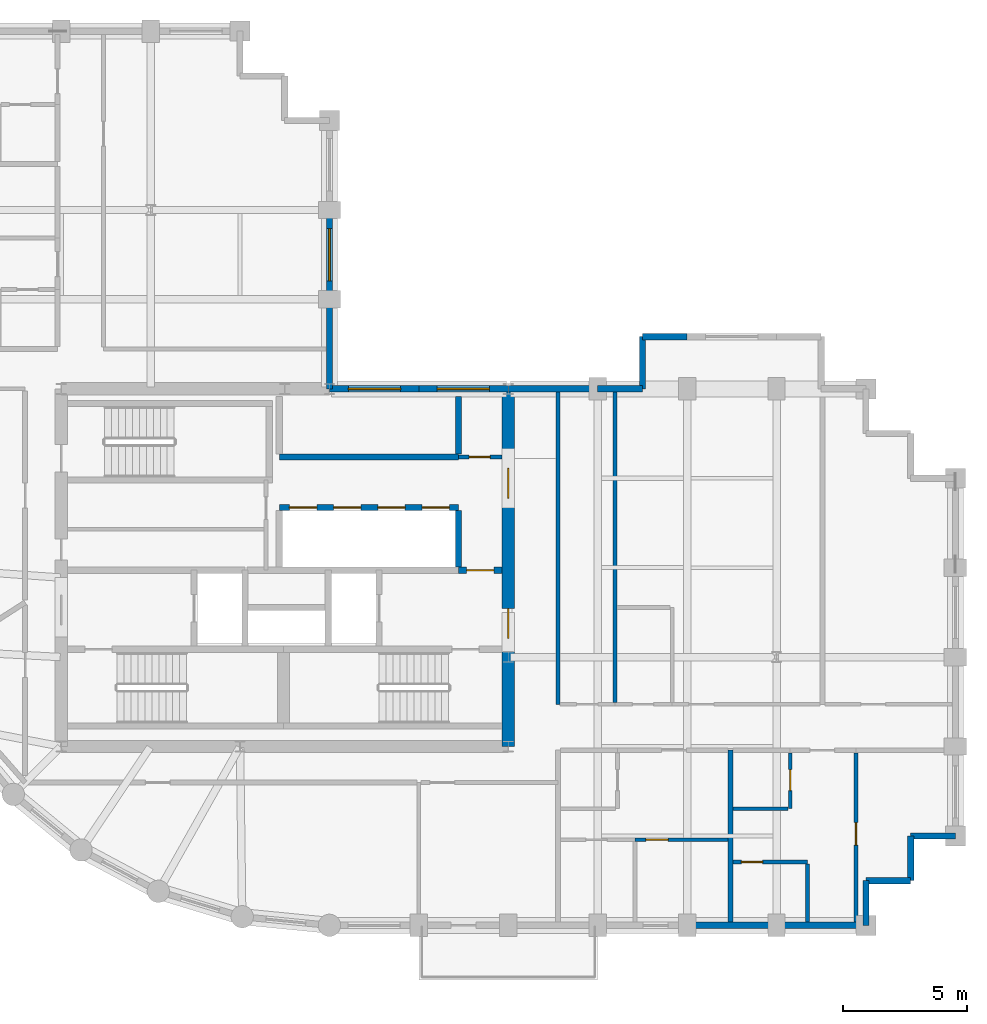
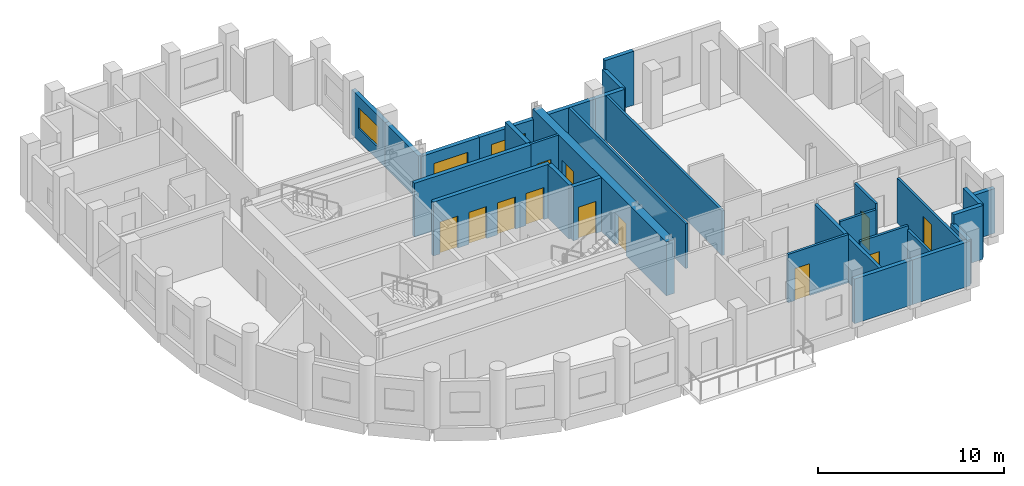
# One storey, part 5 of 8: 30 walls, 12 doors, 3 windows, 15 openings.
"""IFC4 building model written with IfcOpenShell, lengths in metres."""

from ifc_helpers import new_model, si_unit, direction, frame, frame_2d, origin, place, context, subcontext, project, spatial, rectangle, extrude, material, layer, layer_set, type_object, element, fill, save


model = new_model("IFC4")

# Units and contexts
model_context = context("Model", 3, precision=1e-05, world=origin(), true_north=direction((0.0, 1.0)))
body_context = subcontext(model_context, "Body", "Model", "MODEL_VIEW")
ifc_project = project(units=[si_unit("LENGTHUNIT", "METRE"), si_unit("AREAUNIT", "SQUARE_METRE"), si_unit("VOLUMEUNIT", "CUBIC_METRE"), si_unit("PLANEANGLEUNIT", "RADIAN"), si_unit("MASSUNIT", "GRAM", prefix="KILO")], contexts=[model_context])

# Site, building, storey
site_placement = place(None, origin())
site = spatial("IfcSite", under=ifc_project, at=site_placement, CompositionType="ELEMENT")
building_placement = place(site_placement, origin())
building = spatial("IfcBuilding", under=site, at=building_placement, Name="Solnavia Interchange Tower", CompositionType="ELEMENT")
storey_placement = place(building_placement, frame((0.0, 0.0, 178.60009765625)))
storey = spatial("IfcBuildingStorey", under=building, at=storey_placement, Name="L44", CompositionType="ELEMENT", Elevation=178.60009765625)

# Walls
ifc_material_1 = material(Name="Gypsum Acoustic Twin-Stud & Mineral Wool", Category="gypsum")
ifc_layer_1 = layer(ifc_material_1, 0.199951171875)
ifc_layer_set_1 = layer_set([ifc_layer_1], Name="Gypsum Acoustic Twin-Stud & Mineral Wool")
wall_type_1 = type_object("IfcWallType", Name="Wall-ApartmentParty-200", PredefinedType="PARTITIONING", material=ifc_layer_set_1)
wall_1_placement = place(storey_placement, frame((41.35009765625, 3.72900390625, 0.0), z_axis=(0.0, 0.0, 1.0), x_axis=(0.0, 1.0, 0.0)))
element("IfcWall", 1, at=wall_1_placement, inside=storey, type_object=wall_type_1, Name="PTW-L44-16 Interior partition wall", PredefinedType="PARTITIONING", context=body_context, shape_type="SweptSolid", body=[
    extrude(rectangle(XDim=6.9208984375, YDim=0.199951171875, at=frame_2d((3.46044921875, 0.0))), origin(), (0.0, 0.0, 1.0), 2.929931640625),
])
ifc_material_2 = material(Name="Concrete C40/50", Category="concrete")
ifc_layer_2 = layer(ifc_material_2, 0.25)
ifc_layer_set_2 = layer_set([ifc_layer_2], Name="Concrete C40/50")
wall_type_2 = type_object("IfcWallType", Name="Wall-ExtSpandrel-250", PredefinedType="STANDARD", material=ifc_layer_set_2)
wall_2_placement = place(storey_placement, frame((43.199951171875, 3.60009765625, 0.0), z_axis=(0.0, 0.0, 1.0), x_axis=(-1.0, 0.0, 0.0)))
element("IfcWall", 2, at=wall_2_placement, inside=storey, type_object=wall_type_2, Name="EXW-L44-05 Exterior precast spandrel wall", PredefinedType="STANDARD", context=body_context, shape_type="SweptSolid", body=[
    extrude(rectangle(XDim=3.599853515625, YDim=0.25, at=frame_2d((1.7998046875, 0.0))), origin(), (0.0, 0.0, 1.0), 2.929931640625),
])
wall_3_placement = place(storey_placement, frame((46.800048828125, 3.60009765625, 0.0), z_axis=(0.0, 0.0, 1.0), x_axis=(-1.0, 0.0, 0.0)))
element("IfcWall", 3, at=wall_3_placement, inside=storey, type_object=wall_type_2, Name="EXW-L44-06 Exterior precast spandrel wall", PredefinedType="STANDARD", context=body_context, shape_type="SweptSolid", body=[
    extrude(rectangle(XDim=3.60009765625, YDim=0.25, at=frame_2d((1.800048828125, 0.0))), origin(), (0.0, 0.0, 1.0), 2.929931640625),
])
wall_4_placement = place(storey_placement, frame((46.800048828125, 5.39990234375, 0.0), z_axis=(0.0, 0.0, 1.0), x_axis=(0.0, -1.0, 0.0)))
element("IfcWall", 4, at=wall_4_placement, inside=storey, type_object=wall_type_2, Name="EXW-L44-07 Exterior precast spandrel wall", PredefinedType="STANDARD", context=body_context, shape_type="SweptSolid", body=[
    extrude(rectangle(XDim=1.7998046875, YDim=0.25, at=frame_2d((0.89990234375, 0.0))), origin(), (0.0, 0.0, 1.0), 2.929931640625),
])
for number, where, z_axis, x_axis, name in (
    (5, (48.60009765625, 5.39990234375, 0.0), (0.0, 0.0, 1.0), (-1.0, 0.0, 0.0), "EXW-L44-08 Exterior precast spandrel wall"),
    (6, (48.60009765625, 7.199951171875, 0.0), (0.0, 0.0, 1.0), (0.0, -1.0, 0.0), "EXW-L44-09 Exterior precast spandrel wall"),
):
    element("IfcWall", number, at=place(storey_placement, frame(where, z_axis=z_axis, x_axis=x_axis)), inside=storey, type_object=wall_type_2, Name=name, PredefinedType="STANDARD", context=body_context, shape_type="SweptSolid", body=[
        extrude(rectangle(XDim=1.800048828125, YDim=0.25, at=frame_2d((0.89990234375, 0.0))), origin(), (0.0, 0.0, 1.0), 3.534912109375),
    ])
wall_5_placement = place(storey_placement, frame((50.39990234375, 7.199951171875, 0.0), z_axis=(0.0, 0.0, 1.0), x_axis=(-1.0, 0.0, 0.0)))
element("IfcWall", 7, at=wall_5_placement, inside=storey, type_object=wall_type_2, Name="EXW-L44-10 Exterior precast spandrel wall", PredefinedType="STANDARD", context=body_context, shape_type="SweptSolid", body=[
    extrude(rectangle(XDim=1.7998046875, YDim=0.25, at=frame_2d((0.89990234375, 0.0))), origin(), (0.0, 0.0, 1.0), 2.929931640625),
])
wall_6_placement = place(storey_placement, frame((37.800048828125, 27.300048828125, 0.0), z_axis=(0.0, 0.0, 1.0), x_axis=(1.0, 0.0, 0.0)))
element("IfcWall", 8, at=wall_6_placement, inside=storey, type_object=wall_type_2, Name="EXW-L44-23 Exterior precast spandrel wall", PredefinedType="STANDARD", context=body_context, shape_type="SweptSolid", body=[
    extrude(rectangle(XDim=1.800048828125, YDim=0.25, at=frame_2d((0.89990234375, 0.0))), origin(), (0.0, 0.0, 1.0), 3.534912109375),
])
wall_7_placement = place(storey_placement, frame((37.800048828125, 27.300048828125, 0.0), z_axis=(0.0, 0.0, 1.0), x_axis=(0.0, -1.0, 0.0)))
element("IfcWall", 9, at=wall_7_placement, inside=storey, type_object=wall_type_2, Name="EXW-L44-24 Exterior precast spandrel wall", PredefinedType="STANDARD", context=body_context, shape_type="SweptSolid", body=[
    extrude(rectangle(XDim=2.10009765625, YDim=0.25, at=frame_2d((1.050048828125, 0.0))), origin(), (0.0, 0.0, 1.0), 2.929931640625),
])
wall_8_placement = place(storey_placement, frame((36.0, 25.199951171875, 0.0), z_axis=(0.0, 0.0, 1.0), x_axis=(1.0, 0.0, 0.0)))
element("IfcWall", 10, at=wall_8_placement, inside=storey, type_object=wall_type_2, Name="EXW-L44-25 Exterior precast spandrel wall", PredefinedType="STANDARD", context=body_context, shape_type="SweptSolid", body=[
    extrude(rectangle(XDim=1.800048828125, YDim=0.25, at=frame_2d((0.89990234375, 0.0))), origin(), (0.0, 0.0, 1.0), 2.929931640625),
])
wall_9_placement = place(storey_placement, frame((32.39990234375, 25.199951171875, 0.0), z_axis=(0.0, 0.0, 1.0), x_axis=(1.0, 0.0, 0.0)))
element("IfcWall", 11, at=wall_9_placement, inside=storey, type_object=wall_type_2, Name="EXW-L44-26 Exterior precast spandrel wall", PredefinedType="STANDARD", context=body_context, shape_type="SweptSolid", body=[
    extrude(rectangle(XDim=3.60009765625, YDim=0.25, at=frame_2d((1.800048828125, 0.0))), origin(), (0.0, 0.0, 1.0), 2.929931640625),
])

# Wall, opening, window
wall_10_placement = place(storey_placement, frame((28.800048828125, 25.199951171875, 0.0), z_axis=(0.0, 0.0, 1.0), x_axis=(1.0, 0.0, 0.0)))
wall_10 = element("IfcWall", 12, at=wall_10_placement, inside=storey, type_object=wall_type_2, Name="EXW-L44-27 Exterior precast spandrel wall", PredefinedType="STANDARD", context=body_context, shape_type="SweptSolid", body=[
    extrude(rectangle(XDim=3.599853515625, YDim=0.25, at=frame_2d((1.7998046875, 0.0))), origin(), (0.0, 0.0, 1.0), 2.929931640625),
])
opening_1_placement = place(wall_10_placement, frame((0.73388671875, 0.0, 0.85009765625)))
opening_1 = element("IfcOpeningElement", 13, at=opening_1_placement, cuts=wall_10, Name="Opening WIN-01", PredefinedType="OPENING", context=body_context, shape_type="SweptSolid", body=[
    extrude(rectangle(XDim=2.10009765625, YDim=1.35009765625, at=frame_2d((1.050048828125, 0.675048828125))), frame((0.0, 0.135009765625, 0.0), z_axis=(0.0, -1.0, 0.0), x_axis=(1.0, 0.0, 0.0)), (0.0, 0.0, 1.0), 0.27001953125),
])
ifc_material_3 = material(Name="Thermal-Break Aluminium & Low-E Glass", Category="aluminium")
window_type = type_object("IfcWindowType", Name="Window-Ribbon-2100x1350", PartitioningType="SINGLE_PANEL", PredefinedType="WINDOW", material=ifc_material_3)
window_1_placement = place(opening_1_placement, origin())
window_1 = element("IfcWindow", 14, at=window_1_placement, inside=storey, type_object=window_type, Name="WIN-L44-27 Facade ribbon window", OverallHeight=1.35009765625, OverallWidth=2.10009765625, PartitioningType="SINGLE_PANEL", PredefinedType="WINDOW", context=body_context, shape_type="SweptSolid", body=[
    extrude(rectangle(XDim=2.10009765625, YDim=1.35009765625, at=frame_2d((1.050048828125, 0.675048828125))), frame((0.0, 0.030029296875, 0.0), z_axis=(0.0, -1.0, 0.0), x_axis=(1.0, 0.0, 0.0)), (0.0, 0.0, 1.0), 0.06005859375),
])
fill(opening_1, window_1)

wall_11_placement = place(storey_placement, frame((25.199951171875, 25.199951171875, 0.0), z_axis=(0.0, 0.0, 1.0), x_axis=(1.0, 0.0, 0.0)))
wall_11 = element("IfcWall", 15, at=wall_11_placement, inside=storey, type_object=wall_type_2, Name="EXW-L44-28 Exterior precast spandrel wall", PredefinedType="STANDARD", context=body_context, shape_type="SweptSolid", body=[
    extrude(rectangle(XDim=3.60009765625, YDim=0.25, at=frame_2d((1.800048828125, 0.0))), origin(), (0.0, 0.0, 1.0), 2.929931640625),
])
opening_2_placement = place(wall_11_placement, frame((0.76611328125, 0.0, 0.85009765625)))
opening_2 = element("IfcOpeningElement", 16, at=opening_2_placement, cuts=wall_11, Name="Opening WIN-01", PredefinedType="OPENING", context=body_context, shape_type="SweptSolid", body=[
    extrude(rectangle(XDim=2.10009765625, YDim=1.35009765625, at=frame_2d((1.050048828125, 0.675048828125))), frame((0.0, 0.135009765625, 0.0), z_axis=(0.0, -1.0, 0.0), x_axis=(1.0, 0.0, 0.0)), (0.0, 0.0, 1.0), 0.27001953125),
])
window_2_placement = place(opening_2_placement, origin())
window_2 = element("IfcWindow", 17, at=window_2_placement, inside=storey, type_object=window_type, Name="WIN-L44-28 Facade ribbon window", OverallHeight=1.35009765625, OverallWidth=2.10009765625, PartitioningType="SINGLE_PANEL", PredefinedType="WINDOW", context=body_context, shape_type="SweptSolid", body=[
    extrude(rectangle(XDim=2.10009765625, YDim=1.35009765625, at=frame_2d((1.050048828125, 0.675048828125))), frame((0.0, 0.030029296875, 0.0), z_axis=(0.0, -1.0, 0.0), x_axis=(1.0, 0.0, 0.0)), (0.0, 0.0, 1.0), 0.06005859375),
])
fill(opening_2, window_2)

# Wall
wall_12_placement = place(storey_placement, frame((25.199951171875, 25.199951171875, 0.0), z_axis=(0.0, 0.0, 1.0), x_axis=(0.0, 1.0, 0.0)))
element("IfcWall", 18, at=wall_12_placement, inside=storey, type_object=wall_type_2, Name="EXW-L44-29 Exterior precast spandrel wall", PredefinedType="STANDARD", context=body_context, shape_type="SweptSolid", body=[
    extrude(rectangle(XDim=3.60009765625, YDim=0.25, at=frame_2d((1.800048828125, 0.0))), origin(), (0.0, 0.0, 1.0), 2.929931640625),
])

# Wall, opening, window
wall_13_placement = place(storey_placement, frame((25.199951171875, 28.800048828125, 0.0), z_axis=(0.0, 0.0, 1.0), x_axis=(0.0, 1.0, 0.0)))
wall_13 = element("IfcWall", 19, at=wall_13_placement, inside=storey, type_object=wall_type_2, Name="EXW-L44-30 Exterior precast spandrel wall", PredefinedType="STANDARD", context=body_context, shape_type="SweptSolid", body=[
    extrude(rectangle(XDim=3.599853515625, YDim=0.25, at=frame_2d((1.7998046875, 0.0))), origin(), (0.0, 0.0, 1.0), 2.929931640625),
])
opening_3_placement = place(wall_13_placement, frame((0.75, 0.0, 0.85009765625)))
opening_3 = element("IfcOpeningElement", 20, at=opening_3_placement, cuts=wall_13, Name="Opening WIN-01", PredefinedType="OPENING", context=body_context, shape_type="SweptSolid", body=[
    extrude(rectangle(XDim=2.10009765625, YDim=1.35009765625, at=frame_2d((1.050048828125, 0.675048828125))), frame((0.0, 0.135009765625, 0.0), z_axis=(0.0, -1.0, 0.0), x_axis=(1.0, 0.0, 0.0)), (0.0, 0.0, 1.0), 0.27001953125),
])
window_3_placement = place(opening_3_placement, origin())
window_3 = element("IfcWindow", 21, at=window_3_placement, inside=storey, type_object=window_type, Name="WIN-L44-30 Facade ribbon window", OverallHeight=1.35009765625, OverallWidth=2.10009765625, PartitioningType="SINGLE_PANEL", PredefinedType="WINDOW", context=body_context, shape_type="SweptSolid", body=[
    extrude(rectangle(XDim=2.10009765625, YDim=1.35009765625, at=frame_2d((1.050048828125, 0.675048828125))), frame((0.0, 0.030029296875, 0.0), z_axis=(0.0, -1.0, 0.0), x_axis=(1.0, 0.0, 0.0)), (0.0, 0.0, 1.0), 0.06005859375),
])
fill(opening_3, window_3)

# Wall, opening, door
ifc_material_4 = material(Name="Gypsum Plasterboard & Steel Stud", Category="steel")
ifc_layer_3 = layer(ifc_material_4, 0.14990234375)
ifc_layer_set_3 = layer_set([ifc_layer_3], Name="Gypsum Plasterboard & Steel Stud")
wall_type_3 = type_object("IfcWallType", Name="Wall-Partition-150", PredefinedType="PARTITIONING", material=ifc_layer_set_3)
wall_14_placement = place(storey_placement, frame((30.39990234375, 22.4599609375, 0.0), z_axis=(0.0, 0.0, 1.0), x_axis=(1.0, 0.0, 0.0)))
wall_14 = element("IfcWall", 22, at=wall_14_placement, inside=storey, type_object=wall_type_3, Name="CSW-L44-NE-S Core shaft wall", PredefinedType="PARTITIONING", context=body_context, shape_type="SweptSolid", body=[
    extrude(rectangle(XDim=1.75, YDim=0.14990234375, at=frame_2d((0.875, 0.0))), origin(), (0.0, 0.0, 1.0), 3.534912109375),
])
opening_4_placement = place(wall_14_placement, frame((0.419921875, 0.0, 0.0)))
opening_4 = element("IfcOpeningElement", 23, at=opening_4_placement, cuts=wall_14, Name="Opening DR-10", PredefinedType="OPENING", context=body_context, shape_type="SweptSolid", body=[
    extrude(rectangle(XDim=0.85009765625, YDim=2.10009765625, at=frame_2d((0.425048828125, 1.050048828125))), frame((0.0, 0.0849609375, 0.0), z_axis=(0.0, -1.0, 0.0), x_axis=(1.0, 0.0, 0.0)), (0.0, 0.0, 1.0), 0.169921875),
])
ifc_material_5 = material(Name="Moisture-Resistant Timber Door", Category="wood")
door_type_1 = type_object("IfcDoorType", Name="Door-Bathroom-850x2100", OperationType="SINGLE_SWING_RIGHT", PredefinedType="DOOR", material=ifc_material_5)
door_1_placement = place(opening_4_placement, origin())
door_1 = element("IfcDoor", 24, at=door_1_placement, inside=storey, type_object=door_type_1, Name="DR-L44-CS3 Core fire door", OperationType="SINGLE_SWING_RIGHT", OverallHeight=2.10009765625, OverallWidth=0.85009765625, PredefinedType="DOOR", context=body_context, shape_type="SweptSolid", body=[
    extrude(rectangle(XDim=0.85009765625, YDim=2.10009765625, at=frame_2d((0.425048828125, 1.050048828125))), frame((0.0, 0.02490234375, 0.0), z_axis=(0.0, -1.0, 0.0), x_axis=(1.0, 0.0, 0.0)), (0.0, 0.0, 1.0), 0.050048828125),
])
fill(opening_4, door_1)

wall_15_placement = place(storey_placement, frame((37.5, 7.050048828125, 0.0), z_axis=(0.0, 0.0, 1.0), x_axis=(1.0, 0.0, 0.0)))
wall_15 = element("IfcWall", 25, at=wall_15_placement, inside=storey, type_object=wall_type_3, Name="PTW-L44-21 Interior partition wall", PredefinedType="PARTITIONING", context=body_context, shape_type="SweptSolid", body=[
    extrude(rectangle(XDim=3.74609375, YDim=0.14990234375, at=frame_2d((1.873046875, 0.0))), origin(), (0.0, 0.0, 1.0), 3.169921875),
])
opening_5_placement = place(wall_15_placement, frame((0.43994140625, 0.0, 0.0)))
opening_5 = element("IfcOpeningElement", 26, at=opening_5_placement, cuts=wall_15, Name="Opening DR-09", PredefinedType="OPENING", context=body_context, shape_type="SweptSolid", body=[
    extrude(rectangle(XDim=0.89990234375, YDim=2.10009765625, at=frame_2d((0.449951171875, 1.050048828125))), frame((0.0, 0.0849609375, 0.0), z_axis=(0.0, -1.0, 0.0), x_axis=(1.0, 0.0, 0.0)), (0.0, 0.0, 1.0), 0.169921875),
])
ifc_material_6 = material(Name="Engineered Oak Veneer Door", Category="wood")
door_type_2 = type_object("IfcDoorType", Name="Door-Internal-900x2100", OperationType="SINGLE_SWING_LEFT", PredefinedType="DOOR", material=ifc_material_6)
door_2_placement = place(opening_5_placement, origin())
door_2 = element("IfcDoor", 27, at=door_2_placement, inside=storey, type_object=door_type_2, Name="DR-L44-09 Interior room door", OperationType="SINGLE_SWING_RIGHT", OverallHeight=2.10009765625, OverallWidth=0.89990234375, PredefinedType="DOOR", context=body_context, shape_type="SweptSolid", body=[
    extrude(rectangle(XDim=0.89990234375, YDim=2.10009765625, at=frame_2d((0.449951171875, 1.050048828125))), frame((0.0, 0.02490234375, 0.0), z_axis=(0.0, -1.0, 0.0), x_axis=(1.0, 0.0, 0.0)), (0.0, 0.0, 1.0), 0.050048828125),
])
fill(opening_5, door_2)

wall_16_placement = place(storey_placement, frame((46.39990234375, 3.72900390625, 0.0), z_axis=(0.0, 0.0, 1.0), x_axis=(0.0, 1.0, 0.0)))
wall_16 = element("IfcWall", 28, at=wall_16_placement, inside=storey, type_object=wall_type_3, Name="PTW-L44-29 Interior partition wall", PredefinedType="PARTITIONING", context=body_context, shape_type="SweptSolid", body=[
    extrude(rectangle(XDim=6.81689453125, YDim=0.14990234375, at=frame_2d((3.408447265625, 0.0))), origin(), (0.0, 0.0, 1.0), 2.929931640625),
])
opening_6_placement = place(wall_16_placement, frame((3.10595703125, 0.0, 0.0)))
opening_6 = element("IfcOpeningElement", 29, at=opening_6_placement, cuts=wall_16, Name="Opening DR-09", PredefinedType="OPENING", context=body_context, shape_type="SweptSolid", body=[
    extrude(rectangle(XDim=0.89990234375, YDim=2.10009765625, at=frame_2d((0.449951171875, 1.050048828125))), frame((0.0, 0.0849609375, 0.0), z_axis=(0.0, -1.0, 0.0), x_axis=(1.0, 0.0, 0.0)), (0.0, 0.0, 1.0), 0.169921875),
])
door_3_placement = place(opening_6_placement, origin())
door_3 = element("IfcDoor", 30, at=door_3_placement, inside=storey, type_object=door_type_2, Name="DR-L44-13 Interior room door", OperationType="SINGLE_SWING_RIGHT", OverallHeight=2.10009765625, OverallWidth=0.89990234375, PredefinedType="DOOR", context=body_context, shape_type="SweptSolid", body=[
    extrude(rectangle(XDim=0.89990234375, YDim=2.10009765625, at=frame_2d((0.449951171875, 1.050048828125))), frame((0.0, 0.02490234375, 0.0), z_axis=(0.0, -1.0, 0.0), x_axis=(1.0, 0.0, 0.0)), (0.0, 0.0, 1.0), 0.050048828125),
])
fill(opening_6, door_3)

ifc_layer_4 = layer(ifc_material_2, 0.25)
ifc_layer_set_4 = layer_set([ifc_layer_4], Name="Concrete C40/50")
wall_type_4 = type_object("IfcWallType", Name="Wall-ShaftPart-250", PredefinedType="PARTITIONING", material=ifc_layer_set_4)
wall_17_placement = place(storey_placement, frame((30.39990234375, 17.89990234375, 0.0), z_axis=(0.0, 0.0, 1.0), x_axis=(1.0, 0.0, 0.0)))
wall_17 = element("IfcWall", 31, at=wall_17_placement, inside=storey, type_object=wall_type_4, Name="SHW-L44-FFLE-N2 Core shaft wall", PredefinedType="PARTITIONING", context=body_context, shape_type="SweptSolid", body=[
    extrude(rectangle(XDim=1.75, YDim=0.25, at=frame_2d((0.875, 0.0))), origin(), (0.0, 0.0, 1.0), 3.534912109375),
])
opening_7_placement = place(wall_17_placement, frame((0.320068359375, 0.0, 0.0)))
opening_7 = element("IfcOpeningElement", 32, at=opening_7_placement, cuts=wall_17, Name="Opening DR-01", PredefinedType="OPENING", context=body_context, shape_type="SweptSolid", body=[
    extrude(rectangle(XDim=1.10009765625, YDim=2.10009765625, at=frame_2d((0.550048828125, 1.050048828125))), frame((0.0, 0.135009765625, 0.0), z_axis=(0.0, -1.0, 0.0), x_axis=(1.0, 0.0, 0.0)), (0.0, 0.0, 1.0), 0.27001953125),
])
ifc_material_7 = material(Name="Steel Fire-Rated Leaf & Frame", Category="steel")
door_type_3 = type_object("IfcDoorType", Name="Door-StairFire-1100x2100", OperationType="SINGLE_SWING_LEFT", PredefinedType="DOOR", material=ifc_material_7)
door_4_placement = place(opening_7_placement, origin())
door_4 = element("IfcDoor", 33, at=door_4_placement, inside=storey, type_object=door_type_3, Name="DR-L44-LLC Core fire door", OperationType="SINGLE_SWING_LEFT", OverallHeight=2.10009765625, OverallWidth=1.10009765625, PredefinedType="DOOR", context=body_context, shape_type="SweptSolid", body=[
    extrude(rectangle(XDim=1.10009765625, YDim=2.10009765625, at=frame_2d((0.550048828125, 1.050048828125))), frame((0.0, 0.02490234375, 0.0), z_axis=(0.0, -1.0, 0.0), x_axis=(1.0, 0.0, 0.0)), (0.0, 0.0, 1.0), 0.050048828125),
])
fill(opening_7, door_4)

# Wall, openings, doors
wall_18_placement = place(storey_placement, frame((23.179931640625, 20.419921875, 0.0), z_axis=(0.0, 0.0, 1.0), x_axis=(1.0, 0.0, 0.0)))
wall_18 = element("IfcWall", 34, at=wall_18_placement, inside=storey, type_object=wall_type_4, Name="SHW-L44-B2N Core shaft wall", PredefinedType="PARTITIONING", context=body_context, shape_type="SweptSolid", body=[
    extrude(rectangle(XDim=7.219970703125, YDim=0.25, at=frame_2d((3.60986328125, 0.0))), origin(), (0.0, 0.0, 1.0), 3.534912109375),
])
opening_8_placement = place(wall_18_placement, frame((0.409912109375, 0.0, 0.0)))
opening_8 = element("IfcOpeningElement", 35, at=opening_8_placement, cuts=wall_18, Name="Opening LD-01", PredefinedType="OPENING", context=body_context, shape_type="SweptSolid", body=[
    extrude(rectangle(XDim=1.10009765625, YDim=2.10009765625, at=frame_2d((0.550048828125, 1.050048828125))), frame((0.0, 0.135009765625, 0.0), z_axis=(0.0, -1.0, 0.0), x_axis=(1.0, 0.0, 0.0)), (0.0, 0.0, 1.0), 0.27001953125),
])
opening_9_placement = place(wall_18_placement, frame((2.18994140625, 0.0, 0.0)))
opening_9 = element("IfcOpeningElement", 36, at=opening_9_placement, cuts=wall_18, Name="Opening LD-01", PredefinedType="OPENING", context=body_context, shape_type="SweptSolid", body=[
    extrude(rectangle(XDim=1.10009765625, YDim=2.10009765625, at=frame_2d((0.550048828125, 1.050048828125))), frame((0.0, 0.135009765625, 0.0), z_axis=(0.0, -1.0, 0.0), x_axis=(1.0, 0.0, 0.0)), (0.0, 0.0, 1.0), 0.27001953125),
])
opening_10_placement = place(wall_18_placement, frame((3.969970703125, 0.0, 0.0)))
opening_10 = element("IfcOpeningElement", 37, at=opening_10_placement, cuts=wall_18, Name="Opening LD-01", PredefinedType="OPENING", context=body_context, shape_type="SweptSolid", body=[
    extrude(rectangle(XDim=1.10009765625, YDim=2.10009765625, at=frame_2d((0.550048828125, 1.050048828125))), frame((0.0, 0.135009765625, 0.0), z_axis=(0.0, -1.0, 0.0), x_axis=(1.0, 0.0, 0.0)), (0.0, 0.0, 1.0), 0.27001953125),
])
opening_11_placement = place(wall_18_placement, frame((5.75, 0.0, 0.0)))
opening_11 = element("IfcOpeningElement", 38, at=opening_11_placement, cuts=wall_18, Name="Opening LD-01", PredefinedType="OPENING", context=body_context, shape_type="SweptSolid", body=[
    extrude(rectangle(XDim=1.10009765625, YDim=2.10009765625, at=frame_2d((0.550048828125, 1.050048828125))), frame((0.0, 0.135009765625, 0.0), z_axis=(0.0, -1.0, 0.0), x_axis=(1.0, 0.0, 0.0)), (0.0, 0.0, 1.0), 0.27001953125),
])
ifc_material_8 = material(Name="Brushed Stainless Steel Sliding Door", Category="steel")
door_type_4 = type_object("IfcDoorType", Name="Door-LiftLanding-1100x2100", OperationType="SLIDING_TO_LEFT", PredefinedType="DOOR", material=ifc_material_8)
door_5_placement = place(opening_8_placement, origin())
door_5 = element("IfcDoor", 39, at=door_5_placement, inside=storey, type_object=door_type_4, Name="LD-L44-B2-1 Lift landing sliding door", OperationType="SLIDING_TO_LEFT", OverallHeight=2.10009765625, OverallWidth=1.10009765625, PredefinedType="DOOR", context=body_context, shape_type="SweptSolid", body=[
    extrude(rectangle(XDim=1.10009765625, YDim=2.10009765625, at=frame_2d((0.550048828125, 1.050048828125))), frame((0.0, 0.02490234375, 0.0), z_axis=(0.0, -1.0, 0.0), x_axis=(1.0, 0.0, 0.0)), (0.0, 0.0, 1.0), 0.050048828125),
])
fill(opening_8, door_5)
door_6_placement = place(opening_9_placement, origin())
door_6 = element("IfcDoor", 40, at=door_6_placement, inside=storey, type_object=door_type_4, Name="LD-L44-B2-2 Lift landing sliding door", OperationType="SLIDING_TO_LEFT", OverallHeight=2.10009765625, OverallWidth=1.10009765625, PredefinedType="DOOR", context=body_context, shape_type="SweptSolid", body=[
    extrude(rectangle(XDim=1.10009765625, YDim=2.10009765625, at=frame_2d((0.550048828125, 1.050048828125))), frame((0.0, 0.02490234375, 0.0), z_axis=(0.0, -1.0, 0.0), x_axis=(1.0, 0.0, 0.0)), (0.0, 0.0, 1.0), 0.050048828125),
])
fill(opening_9, door_6)
door_7_placement = place(opening_10_placement, origin())
door_7 = element("IfcDoor", 41, at=door_7_placement, inside=storey, type_object=door_type_4, Name="LD-L44-B2-3 Lift landing sliding door", OperationType="SLIDING_TO_LEFT", OverallHeight=2.10009765625, OverallWidth=1.10009765625, PredefinedType="DOOR", context=body_context, shape_type="SweptSolid", body=[
    extrude(rectangle(XDim=1.10009765625, YDim=2.10009765625, at=frame_2d((0.550048828125, 1.050048828125))), frame((0.0, 0.02490234375, 0.0), z_axis=(0.0, -1.0, 0.0), x_axis=(1.0, 0.0, 0.0)), (0.0, 0.0, 1.0), 0.050048828125),
])
fill(opening_10, door_7)
door_8_placement = place(opening_11_placement, origin())
door_8 = element("IfcDoor", 42, at=door_8_placement, inside=storey, type_object=door_type_4, Name="LD-L44-B2-4 Lift landing sliding door", OperationType="SLIDING_TO_LEFT", OverallHeight=2.10009765625, OverallWidth=1.10009765625, PredefinedType="DOOR", context=body_context, shape_type="SweptSolid", body=[
    extrude(rectangle(XDim=1.10009765625, YDim=2.10009765625, at=frame_2d((0.550048828125, 1.050048828125))), frame((0.0, 0.02490234375, 0.0), z_axis=(0.0, -1.0, 0.0), x_axis=(1.0, 0.0, 0.0)), (0.0, 0.0, 1.0), 0.050048828125),
])
fill(opening_11, door_8)

# Walls
wall_19_placement = place(storey_placement, frame((30.39990234375, 18.02490234375, 0.0), z_axis=(0.0, 0.0, 1.0), x_axis=(0.0, 1.0, 0.0)))
element("IfcWall", 43, at=wall_19_placement, inside=storey, type_object=wall_type_4, Name="SHW-L44-B2E Core shaft wall", PredefinedType="PARTITIONING", context=body_context, shape_type="SweptSolid", body=[
    extrude(rectangle(XDim=2.27001953125, YDim=0.25, at=frame_2d((1.135009765625, 0.0))), origin(), (0.0, 0.0, 1.0), 3.534912109375),
])
wall_20_placement = place(storey_placement, frame((23.179931640625, 22.4599609375, 0.0), z_axis=(0.0, 0.0, 1.0), x_axis=(1.0, 0.0, 0.0)))
element("IfcWall", 44, at=wall_20_placement, inside=storey, type_object=wall_type_4, Name="SHW-L44-B3S Core shaft wall", PredefinedType="PARTITIONING", context=body_context, shape_type="SweptSolid", body=[
    extrude(rectangle(XDim=7.219970703125, YDim=0.25, at=frame_2d((3.60986328125, 0.0))), origin(), (0.0, 0.0, 1.0), 3.534912109375),
])
wall_21_placement = place(storey_placement, frame((30.39990234375, 22.5849609375, 0.0), z_axis=(0.0, 0.0, 1.0), x_axis=(0.0, 1.0, 0.0)))
element("IfcWall", 45, at=wall_21_placement, inside=storey, type_object=wall_type_4, Name="SHW-L44-B3E Core shaft wall", PredefinedType="PARTITIONING", context=body_context, shape_type="SweptSolid", body=[
    extrude(rectangle(XDim=2.31494140625, YDim=0.25, at=frame_2d((1.157470703125, 0.0))), origin(), (0.0, 0.0, 1.0), 3.534912109375),
])

# Wall, openings, doors
ifc_material_9 = material(Name="Concrete C60/75", Category="concrete")
ifc_layer_5 = layer(ifc_material_9, 0.5)
ifc_layer_set_5 = layer_set([ifc_layer_5], Name="Concrete C60/75")
wall_type_5 = type_object("IfcWallType", Name="Wall-ShearCore-500", PredefinedType="SHEAR", material=ifc_layer_set_5)
wall_22_placement = place(storey_placement, frame((32.39990234375, 10.800048828125, 0.0), z_axis=(0.0, 0.0, 1.0), x_axis=(0.0, 1.0, 0.0)))
wall_22 = element("IfcWall", 46, at=wall_22_placement, inside=storey, type_object=wall_type_5, Name="CRW-L44-E Core shear wall", PredefinedType="SHEAR", context=body_context, shape_type="SweptSolid", body=[
    extrude(rectangle(XDim=14.39990234375, YDim=0.5, at=frame_2d((7.199951171875, 0.0))), origin(), (0.0, 0.0, 1.0), 3.5498046875),
])
opening_12_placement = place(wall_22_placement, frame((4.35009765625, 0.0, 0.0)))
opening_12 = element("IfcOpeningElement", 47, at=opening_12_placement, cuts=wall_22, Name="Opening DR-02", PredefinedType="OPENING", context=body_context, shape_type="SweptSolid", body=[
    extrude(rectangle(XDim=1.199951171875, YDim=2.10009765625, at=frame_2d((0.60009765625, 1.050048828125))), frame((0.0, 0.260009765625, 0.0), z_axis=(0.0, -1.0, 0.0), x_axis=(1.0, 0.0, 0.0)), (0.0, 0.0, 1.0), 0.52001953125),
])
opening_13_placement = place(wall_22_placement, frame((10.0, 0.0, 0.0)))
opening_13 = element("IfcOpeningElement", 48, at=opening_13_placement, cuts=wall_22, Name="Opening DR-02", PredefinedType="OPENING", context=body_context, shape_type="SweptSolid", body=[
    extrude(rectangle(XDim=1.199951171875, YDim=2.10009765625, at=frame_2d((0.60009765625, 1.050048828125))), frame((0.0, 0.260009765625, 0.0), z_axis=(0.0, -1.0, 0.0), x_axis=(1.0, 0.0, 0.0)), (0.0, 0.0, 1.0), 0.52001953125),
])
ifc_material_10 = material(Name="Steel Fire-Rated Vision-Panel Door", Category="steel")
door_type_5 = type_object("IfcDoorType", Name="Door-LobbyFire-1200x2100", OperationType="SINGLE_SWING_RIGHT", PredefinedType="DOOR", material=ifc_material_10)
door_9_placement = place(opening_12_placement, origin())
door_9 = element("IfcDoor", 49, at=door_9_placement, inside=storey, type_object=door_type_5, Name="DR-L44-FFL2E Core fire door", OperationType="SINGLE_SWING_LEFT", OverallHeight=2.10009765625, OverallWidth=1.199951171875, PredefinedType="DOOR", context=body_context, shape_type="SweptSolid", body=[
    extrude(rectangle(XDim=1.199951171875, YDim=2.10009765625, at=frame_2d((0.60009765625, 1.050048828125))), frame((0.0, 0.02490234375, 0.0), z_axis=(0.0, -1.0, 0.0), x_axis=(1.0, 0.0, 0.0)), (0.0, 0.0, 1.0), 0.050048828125),
])
fill(opening_12, door_9)
door_10_placement = place(opening_13_placement, origin())
door_10 = element("IfcDoor", 50, at=door_10_placement, inside=storey, type_object=door_type_5, Name="DR-L44-LLE Core fire door", OperationType="SINGLE_SWING_RIGHT", OverallHeight=2.10009765625, OverallWidth=1.199951171875, PredefinedType="DOOR", context=body_context, shape_type="SweptSolid", body=[
    extrude(rectangle(XDim=1.199951171875, YDim=2.10009765625, at=frame_2d((0.60009765625, 1.050048828125))), frame((0.0, 0.02490234375, 0.0), z_axis=(0.0, -1.0, 0.0), x_axis=(1.0, 0.0, 0.0)), (0.0, 0.0, 1.0), 0.050048828125),
])
fill(opening_13, door_10)

# Walls
ifc_material_11 = material(Name="Moisture-Resistant Gypsum & Steel Stud", Category="steel")
ifc_layer_6 = layer(ifc_material_11, 0.14990234375)
ifc_layer_set_6 = layer_set([ifc_layer_6], Name="Moisture-Resistant Gypsum & Steel Stud")
wall_type_6 = type_object("IfcWallType", Name="Wall-WetRoom-150", PredefinedType="PARTITIONING", material=ifc_layer_set_6)
wall_23_placement = place(storey_placement, frame((34.39990234375, 12.5, 0.0), z_axis=(0.0, 0.0, 1.0), x_axis=(0.0, 1.0, 0.0)))
element("IfcWall", 51, at=wall_23_placement, inside=storey, type_object=wall_type_6, Name="PTW-L44-01 Interior partition wall", PredefinedType="PARTITIONING", context=body_context, shape_type="SweptSolid", body=[
    extrude(rectangle(XDim=12.571044921875, YDim=0.14990234375, at=frame_2d((6.28564453125, 0.0))), origin(), (0.0, 0.0, 1.0), 2.929931640625),
])
wall_24_placement = place(storey_placement, frame((36.699951171875, 12.5791015625, 0.0), z_axis=(0.0, 0.0, 1.0), x_axis=(0.0, 1.0, 0.0)))
element("IfcWall", 52, at=wall_24_placement, inside=storey, type_object=wall_type_6, Name="PTW-L44-03 Interior partition wall", PredefinedType="PARTITIONING", context=body_context, shape_type="SweptSolid", body=[
    extrude(rectangle(XDim=12.491943359375, YDim=0.14990234375, at=frame_2d((6.24609375, 0.0))), origin(), (0.0, 0.0, 1.0), 2.929931640625),
])

# Wall, opening, door
wall_25_placement = place(storey_placement, frame((43.75, 8.300048828125, 0.0), z_axis=(0.0, 0.0, 1.0), x_axis=(0.0, 1.0, 0.0)))
wall_25 = element("IfcWall", 53, at=wall_25_placement, inside=storey, type_object=wall_type_6, Name="PTW-L44-25 Interior partition wall", PredefinedType="PARTITIONING", context=body_context, shape_type="SweptSolid", body=[
    extrude(rectangle(XDim=2.245849609375, YDim=0.14990234375, at=frame_2d((1.123046875, 0.0))), origin(), (0.0, 0.0, 1.0), 3.534912109375),
])
opening_14_placement = place(wall_25_placement, frame((0.719970703125, 0.0, 0.0)))
opening_14 = element("IfcOpeningElement", 54, at=opening_14_placement, cuts=wall_25, Name="Opening DR-10", PredefinedType="OPENING", context=body_context, shape_type="SweptSolid", body=[
    extrude(rectangle(XDim=0.85009765625, YDim=2.10009765625, at=frame_2d((0.425048828125, 1.050048828125))), frame((0.0, 0.0849609375, 0.0), z_axis=(0.0, -1.0, 0.0), x_axis=(1.0, 0.0, 0.0)), (0.0, 0.0, 1.0), 0.169921875),
])
door_11_placement = place(opening_14_placement, origin())
door_11 = element("IfcDoor", 55, at=door_11_placement, inside=storey, type_object=door_type_1, Name="DR-L44-11 Interior room door", OperationType="SINGLE_SWING_RIGHT", OverallHeight=2.10009765625, OverallWidth=0.85009765625, PredefinedType="DOOR", context=body_context, shape_type="SweptSolid", body=[
    extrude(rectangle(XDim=0.85009765625, YDim=2.10009765625, at=frame_2d((0.425048828125, 1.050048828125))), frame((0.0, 0.02490234375, 0.0), z_axis=(0.0, -1.0, 0.0), x_axis=(1.0, 0.0, 0.0)), (0.0, 0.0, 1.0), 0.050048828125),
])
fill(opening_14, door_11)

# Wall
wall_26_placement = place(storey_placement, frame((41.4541015625, 8.300048828125, 0.0), z_axis=(0.0, 0.0, 1.0), x_axis=(1.0, 0.0, 0.0)))
element("IfcWall", 56, at=wall_26_placement, inside=storey, type_object=wall_type_6, Name="PTW-L44-26 Interior partition wall", PredefinedType="PARTITIONING", context=body_context, shape_type="SweptSolid", body=[
    extrude(rectangle(XDim=2.216796875, YDim=0.14990234375, at=frame_2d((1.1083984375, 0.0))), origin(), (0.0, 0.0, 1.0), 3.179931640625),
])

# Wall, opening, door
wall_27_placement = place(storey_placement, frame((41.4541015625, 6.14990234375, 0.0), z_axis=(0.0, 0.0, 1.0), x_axis=(1.0, 0.0, 0.0)))
wall_27 = element("IfcWall", 57, at=wall_27_placement, inside=storey, type_object=wall_type_6, Name="PTW-L44-30 Interior partition wall", PredefinedType="PARTITIONING", context=body_context, shape_type="SweptSolid", body=[
    extrude(rectangle(XDim=2.995849609375, YDim=0.14990234375, at=frame_2d((1.498046875, 0.0))), origin(), (0.0, 0.0, 1.0), 3.179931640625),
])
opening_15_placement = place(wall_27_placement, frame((0.3330078125, 0.0, 0.0)))
opening_15 = element("IfcOpeningElement", 58, at=opening_15_placement, cuts=wall_27, Name="Opening DR-10", PredefinedType="OPENING", context=body_context, shape_type="SweptSolid", body=[
    extrude(rectangle(XDim=0.85009765625, YDim=2.10009765625, at=frame_2d((0.425048828125, 1.050048828125))), frame((0.0, 0.0849609375, 0.0), z_axis=(0.0, -1.0, 0.0), x_axis=(1.0, 0.0, 0.0)), (0.0, 0.0, 1.0), 0.169921875),
])
door_12_placement = place(opening_15_placement, origin())
door_12 = element("IfcDoor", 59, at=door_12_placement, inside=storey, type_object=door_type_1, Name="DR-L44-14 Interior room door", OperationType="SINGLE_SWING_LEFT", OverallHeight=2.10009765625, OverallWidth=0.85009765625, PredefinedType="DOOR", context=body_context, shape_type="SweptSolid", body=[
    extrude(rectangle(XDim=0.85009765625, YDim=2.10009765625, at=frame_2d((0.425048828125, 1.050048828125))), frame((0.0, 0.02490234375, 0.0), z_axis=(0.0, -1.0, 0.0), x_axis=(1.0, 0.0, 0.0)), (0.0, 0.0, 1.0), 0.050048828125),
])
fill(opening_15, door_12)

# Wall
wall_28_placement = place(storey_placement, frame((44.449951171875, 3.72900390625, 0.0), z_axis=(0.0, 0.0, 1.0), x_axis=(0.0, 1.0, 0.0)))
element("IfcWall", 60, at=wall_28_placement, inside=storey, type_object=wall_type_6, Name="PTW-L44-31 Interior partition wall", PredefinedType="PARTITIONING", context=body_context, shape_type="SweptSolid", body=[
    extrude(rectangle(XDim=2.342041015625, YDim=0.14990234375, at=frame_2d((1.1708984375, 0.0))), origin(), (0.0, 0.0, 1.0), 2.929931640625),
])

save(model, "model.ifc")
